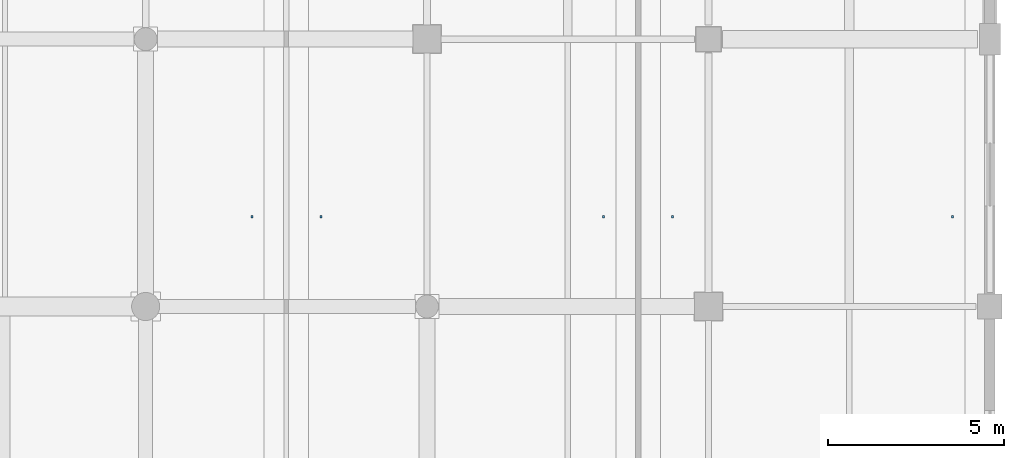
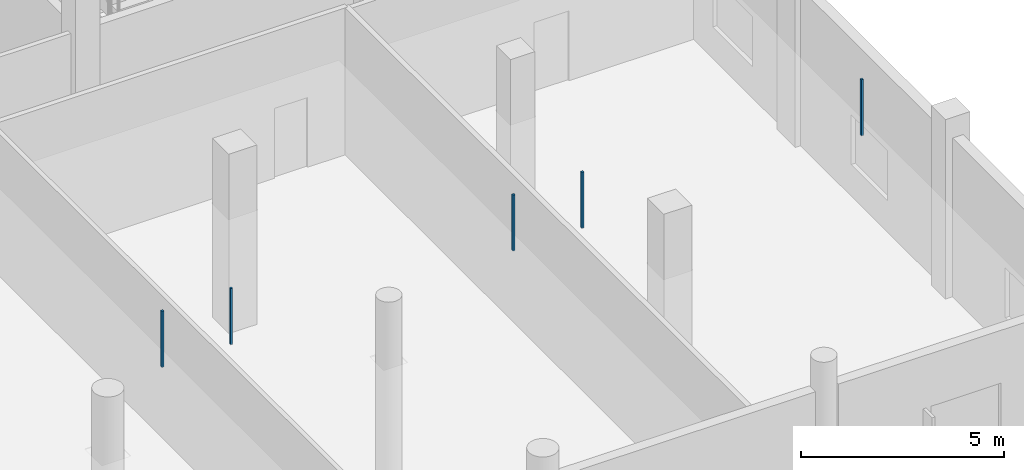
# One storey, part 97 of 126: 5 discrete accessories.
"""IFC4 building model written with IfcOpenShell, lengths in metres."""

from ifc_helpers import new_model, si_unit, direction, frame, origin, origin_2d, place, context, subcontext, project, spatial, rectangle, extrude, material, type_object, element, save


model = new_model("IFC4")

# Units and contexts
model_context = context("Model", 3, precision=1e-05, world=origin(), true_north=direction((0.0, 1.0)))
body_context = subcontext(model_context, "Body", "Model", "MODEL_VIEW")
ifc_project = project(units=[si_unit("LENGTHUNIT", "METRE"), si_unit("AREAUNIT", "SQUARE_METRE"), si_unit("VOLUMEUNIT", "CUBIC_METRE"), si_unit("PLANEANGLEUNIT", "RADIAN"), si_unit("MASSUNIT", "GRAM", prefix="KILO")], contexts=[model_context])

# Site, building, storey
site_placement = place(None, origin())
site = spatial("IfcSite", under=ifc_project, at=site_placement, CompositionType="ELEMENT")
building_placement = place(site_placement, origin())
building = spatial("IfcBuilding", under=site, at=building_placement, Name="Khelvaren Railside Concert Hall", CompositionType="ELEMENT")
storey_placement = place(building_placement, origin())
storey = spatial("IfcBuildingStorey", under=building, at=storey_placement, Name="L00", CompositionType="ELEMENT", Elevation=0.0)

# Discrete accessories
ifc_material = material(Name="Galvanised steel acoustic ceiling hanger rod", Category="steel")
discrete_accessory_type = type_object("IfcDiscreteAccessoryType", Name="BRK62", PredefinedType="BRACKET", material=ifc_material)
for number, where, z_axis, x_axis, name in (
    (1, (163.02001953125, 93.75, 3.429931640625), (0.0, 0.0, 1.0), (1.0, 0.0, 0.0), "Acoustic Ceiling Suspension Bracket 129-2"),
    (2, (164.97998046875, 93.75, 3.429931640625), (0.0, 0.0, 1.0), (1.0, 0.0, 0.0), "Acoustic Ceiling Suspension Bracket 130-1"),
    (3, (173.02001953125, 93.75, 3.429931640625), (0.0, 0.0, 1.0), (1.0, 0.0, 0.0), "Acoustic Ceiling Suspension Bracket 130-2"),
    (4, (174.97998046875, 93.75, 3.429931640625), (0.0, 0.0, 1.0), (1.0, 0.0, 0.0), "Acoustic Ceiling Suspension Bracket 131-1"),
    (5, (182.93994140625, 93.75, 3.429931640625), (0.0, 0.0, 1.0), (1.0, 0.0, 0.0), "Acoustic Ceiling Suspension Bracket 131-2"),
):
    element("IfcDiscreteAccessory", number, at=place(storey_placement, frame(where, z_axis=z_axis, x_axis=x_axis)), inside=storey, type_object=discrete_accessory_type, Name=name, PredefinedType="BRACKET", context=body_context, shape_type="SweptSolid", body=[
        extrude(rectangle(XDim=0.06005859375, YDim=0.06005859375, at=origin_2d()), origin(), (0.0, 0.0, 1.0), 1.68994140625),
    ])

save(model, "model.ifc")
